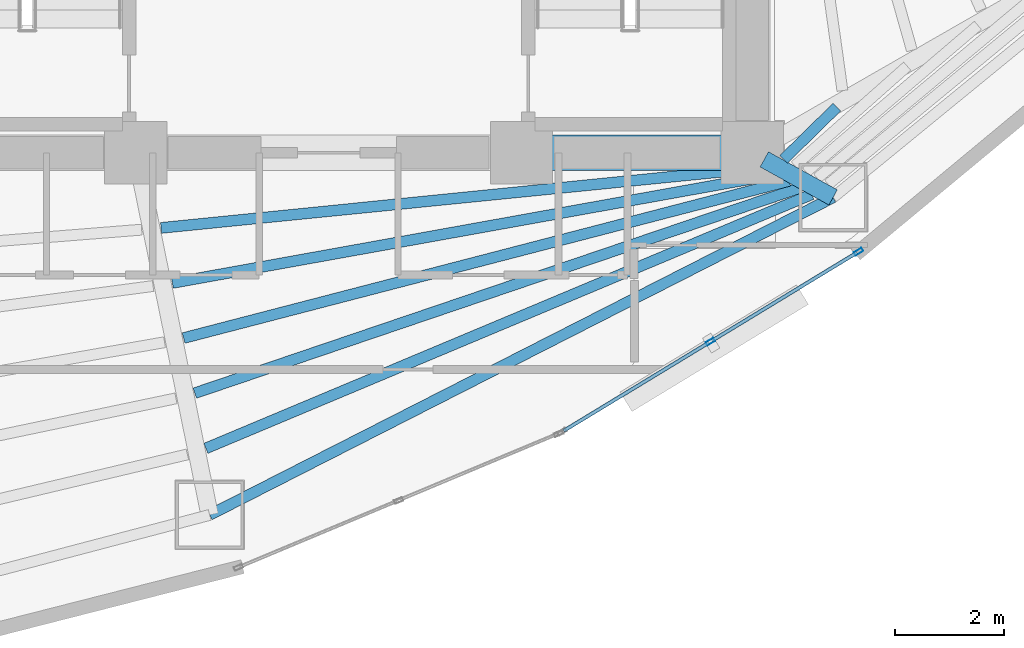
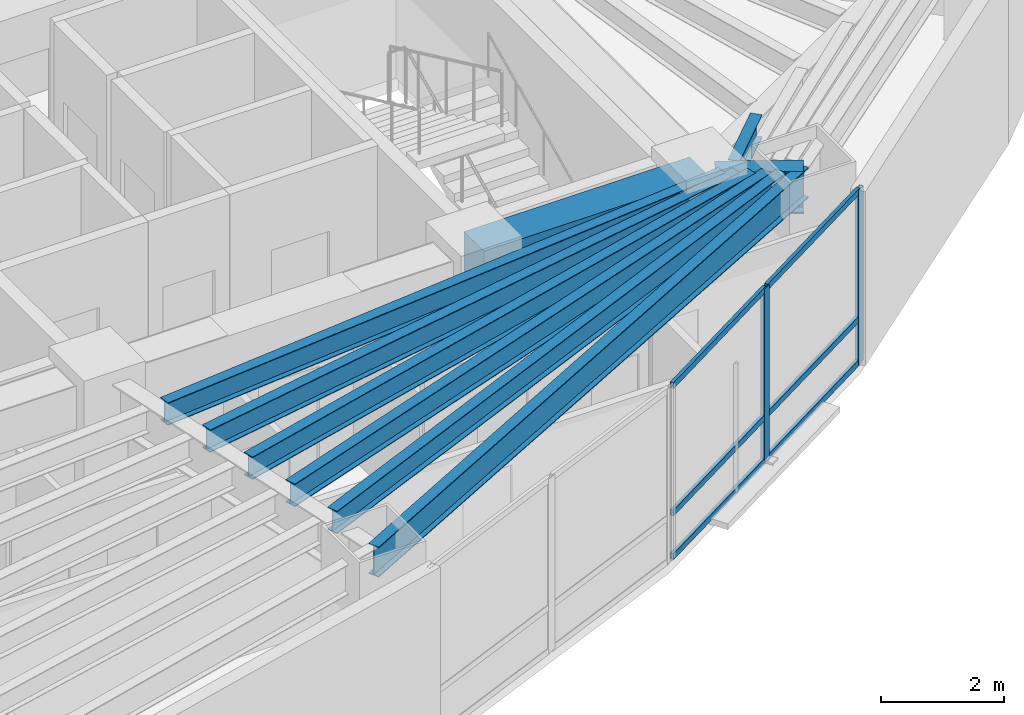
# One storey, part 5 of 16: 9 beams, 8 members, 1 element without a shape of its own.
"""IFC4 building model written with IfcOpenShell, lengths in metres."""

from ifc_helpers import new_model, si_unit, direction, frame, origin, origin_2d, place, context, subcontext, project, spatial, rectangle, hollow_rectangle, i_section, extrude, material, layer, layer_set, material_profile, profile_set, type_object, element, aggregate, save


model = new_model("IFC4")

# Units and contexts
model_context = context("Model", 3, precision=1e-05, world=origin(), true_north=direction((0.0, 1.0)))
body_context = subcontext(model_context, "Body", "Model", "MODEL_VIEW")
ifc_project = project(units=[si_unit("LENGTHUNIT", "METRE"), si_unit("AREAUNIT", "SQUARE_METRE"), si_unit("VOLUMEUNIT", "CUBIC_METRE"), si_unit("PLANEANGLEUNIT", "RADIAN"), si_unit("MASSUNIT", "GRAM", prefix="KILO")], contexts=[model_context])

# Site, building, storey
site_placement = place(None, origin())
site = spatial("IfcSite", under=ifc_project, at=site_placement, CompositionType="ELEMENT")
building_placement = place(site_placement, origin())
building = spatial("IfcBuilding", under=site, at=building_placement, Name="Menara Vayukalpa", CompositionType="ELEMENT")
storey_placement = place(building_placement, frame((0.0, 0.0, 75.9599609375)))
storey = spatial("IfcBuildingStorey", under=building, at=storey_placement, Name="L18", CompositionType="ELEMENT", Elevation=75.9599609375)

# Beams
ifc_material_1 = material(Name="Concrete C60/75", Category="concrete")
ifc_material_profile_1 = material_profile(ifc_material_1, rectangle(XDim=0.64990234375, YDim=0.85009765625, at=origin_2d()), Name="RC 650x850")
ifc_profile_set_1 = profile_set([ifc_material_profile_1], Name="Concrete C60/75")
beam_type_1 = type_object("IfcBeamType", Name="BM-CB1", PredefinedType="BEAM", material=ifc_profile_set_1)
beam_1_placement = place(storey_placement, frame((29.14990234375, 17.199951171875, 3.044921875), z_axis=(1.0, 0.0, 0.0), x_axis=(0.0, 1.0, 0.0)))
element("IfcBeam", 1, at=beam_1_placement, inside=storey, type_object=beam_type_1, Name="L18 Core Tie Beam CBR3", PredefinedType="BEAM", context=body_context, shape_type="SweptSolid", body=[
    extrude(rectangle(XDim=0.64990234375, YDim=0.85009765625, at=origin_2d()), origin(), (0.0, 0.0, 1.0), 4.25),
])
ifc_material_2 = material(Name="Steel S355", Category="steel")
ifc_material_profile_2 = material_profile(ifc_material_2, i_section(OverallWidth=0.320068359375, OverallDepth=0.85009765625, WebThickness=0.01611328125, FlangeThickness=0.030029296875, at=origin_2d()), Name="WF 850x320x16x30")
ifc_profile_set_2 = profile_set([ifc_material_profile_2], Name="Steel S355")
beam_type_2 = type_object("IfcBeamType", Name="BM-PG2", PredefinedType="BEAM", material=ifc_profile_set_2)
beam_2_placement = place(storey_placement, frame((33.618896484375, 17.0791015625, 3.044921875), z_axis=(0.875228391676, -0.48370989488, 0.0), x_axis=(0.48370989488, 0.875228391676, 0.0)))
element("IfcBeam", 2, at=beam_2_placement, inside=storey, type_object=beam_type_2, Name="L18 Primary Radial Girder RG09", PredefinedType="BEAM", context=body_context, shape_type="SweptSolid", body=[
    extrude(i_section(OverallWidth=0.320068359375, OverallDepth=0.85009765625, WebThickness=0.01611328125, FlangeThickness=0.030029296875, at=origin_2d()), origin(), (0.0, 0.0, 1.0), 1.448486328125),
])
ifc_material_3 = material(Name="Steel S355", Category="steel")
ifc_material_profile_3 = material_profile(ifc_material_3, i_section(OverallWidth=0.199951171875, OverallDepth=0.449951171875, WebThickness=0.009033203125, FlangeThickness=0.013916015625, at=origin_2d()), Name="WF 450x200x9x14")
ifc_profile_set_3 = profile_set([ifc_material_profile_3], Name="Steel S355")
beam_type_3 = type_object("IfcBeamType", Name="BM-SJ1", PredefinedType="JOIST", material=ifc_profile_set_3)
beam_3_placement = place(storey_placement, frame((22.514404296875, 15.81689453125, 3.2451171875), z_axis=(0.995012360471, 0.0997517043, 0.0), x_axis=(-0.0997517043, 0.995012360471, 0.0)))
element("IfcBeam", 3, at=beam_3_placement, inside=storey, type_object=beam_type_3, Name="L18 Secondary Floor Joist SJ08-1", PredefinedType="JOIST", context=body_context, shape_type="SweptSolid", body=[
    extrude(i_section(OverallWidth=0.199951171875, OverallDepth=0.449951171875, WebThickness=0.009033203125, FlangeThickness=0.013916015625, at=origin_2d()), origin(), (0.0, 0.0, 1.0), 11.20947265625),
])
beam_4_placement = place(storey_placement, frame((22.721923828125, 14.80322265625, 3.2451171875), z_axis=(0.984203304908, 0.177041957199, 0.0), x_axis=(-0.177041957199, 0.984203304908, 0.0)))
element("IfcBeam", 4, at=beam_4_placement, inside=storey, type_object=beam_type_3, Name="L18 Secondary Floor Joist SJ08-2", PredefinedType="JOIST", context=body_context, shape_type="SweptSolid", body=[
    extrude(i_section(OverallWidth=0.199951171875, OverallDepth=0.449951171875, WebThickness=0.009033203125, FlangeThickness=0.013916015625, at=origin_2d()), origin(), (0.0, 0.0, 1.0), 11.329833984375),
])
beam_5_placement = place(storey_placement, frame((22.92822265625, 13.7890625, 3.2451171875), z_axis=(0.9679190538, 0.25126222416, 0.0), x_axis=(-0.25126222416, 0.9679190538, 0.0)))
element("IfcBeam", 5, at=beam_5_placement, inside=storey, type_object=beam_type_3, Name="L18 Secondary Floor Joist SJ08-3", PredefinedType="JOIST", context=body_context, shape_type="SweptSolid", body=[
    extrude(i_section(OverallWidth=0.199951171875, OverallDepth=0.449951171875, WebThickness=0.009033203125, FlangeThickness=0.013916015625, at=origin_2d()), origin(), (0.0, 0.0, 1.0), 11.52001953125),
])
beam_6_placement = place(storey_placement, frame((23.1337890625, 12.774169921875, 3.2451171875), z_axis=(0.946954817661, 0.321366727134, 0.0), x_axis=(-0.321366727134, 0.946954817661, 0.0)))
element("IfcBeam", 6, at=beam_6_placement, inside=storey, type_object=beam_type_3, Name="L18 Secondary Floor Joist SJ08-4", PredefinedType="JOIST", context=body_context, shape_type="SweptSolid", body=[
    extrude(i_section(OverallWidth=0.199951171875, OverallDepth=0.449951171875, WebThickness=0.009033203125, FlangeThickness=0.013916015625, at=origin_2d()), origin(), (0.0, 0.0, 1.0), 11.776123046875),
])
beam_7_placement = place(storey_placement, frame((23.338623046875, 11.75830078125, 3.2451171875), z_axis=(0.922223639508, 0.386656900536, 0.0), x_axis=(-0.386656900536, 0.922223639508, 0.0)))
element("IfcBeam", 7, at=beam_7_placement, inside=storey, type_object=beam_type_3, Name="L18 Secondary Floor Joist SJ08-5", PredefinedType="JOIST", context=body_context, shape_type="SweptSolid", body=[
    extrude(i_section(OverallWidth=0.199951171875, OverallDepth=0.449951171875, WebThickness=0.009033203125, FlangeThickness=0.013916015625, at=origin_2d()), origin(), (0.0, 0.0, 1.0), 12.0947265625),
])
beam_8_placement = place(storey_placement, frame((33.9755859375, 17.0791015625, 3.2451171875), z_axis=(0.713661021906, 0.700491217512, 0.0), x_axis=(-0.700491217512, 0.713661021906, 0.0)))
element("IfcBeam", 8, at=beam_8_placement, inside=storey, type_object=beam_type_3, Name="L18 Secondary Floor Joist SJ09-1", PredefinedType="JOIST", context=body_context, shape_type="SweptSolid", body=[
    extrude(i_section(OverallWidth=0.199951171875, OverallDepth=0.449951171875, WebThickness=0.009033203125, FlangeThickness=0.013916015625, at=origin_2d()), origin(), (0.0, 0.0, 1.0), 1.371826171875),
])
ifc_material_4 = material(Name="Steel S355", Category="steel")
ifc_material_profile_4 = material_profile(ifc_material_4, i_section(OverallWidth=0.199951171875, OverallDepth=0.60009765625, WebThickness=0.010986328125, FlangeThickness=0.01708984375, at=origin_2d()), Name="WF 600x200x11x17")
ifc_profile_set_4 = profile_set([ifc_material_profile_4], Name="Steel S355")
beam_type_4 = type_object("IfcBeamType", Name="BM-SP1", PredefinedType="SPANDREL", material=ifc_profile_set_4)
beam_9_placement = place(storey_placement, frame((23.408203125, 10.53271484375, 3.169921875), z_axis=(0.891097345221, 0.453812209333, 0.0), x_axis=(-0.453812209333, 0.891097345221, 0.0)))
element("IfcBeam", 9, at=beam_9_placement, inside=storey, type_object=beam_type_4, Name="L18 Perimeter Spandrel Beam SP08", PredefinedType="SPANDREL", context=body_context, shape_type="SweptSolid", body=[
    extrude(i_section(OverallWidth=0.199951171875, OverallDepth=0.60009765625, WebThickness=0.010986328125, FlangeThickness=0.01708984375, at=origin_2d()), origin(), (0.0, 0.0, 1.0), 12.88134765625),
])

# Curtain wall, members
ifc_material_5 = material(Name="Anodised Terracotta Aluminium Alloy 6063-T6", Category="masonry")
ifc_layer = layer(ifc_material_5, 0.1650390625)
ifc_layer_set = layer_set([ifc_layer], Name="Anodised Terracotta Aluminium Alloy 6063-T6")
curtain_wall_type = type_object("IfcCurtainWallType", Name="CW-CW2", PredefinedType="USERDEFINED", material=ifc_layer_set)
curtain_wall_placement = place(storey_placement, origin())
curtain_wall = element("IfcCurtainWall", 10, at=curtain_wall_placement, inside=storey, type_object=curtain_wall_type, Name="L18 Low Rise Terracotta Ribbon Curtain Wall CW2 17", ObjectType="UNITISED", PredefinedType="USERDEFINED")
ifc_material_6 = material(Name="Anodised Terracotta Aluminium Alloy 6063-T6", Category="masonry")
ifc_material_profile_5 = material_profile(ifc_material_6, hollow_rectangle(XDim=0.070068359375, YDim=0.1650390625, WallThickness=0.00390625, at=origin_2d()), Name="ALU 70x165x4")
ifc_profile_set_5 = profile_set([ifc_material_profile_5], Name="Anodised Terracotta Aluminium Alloy 6063-T6")
member_type_1 = type_object("IfcMemberType", Name="CWM-CW2", PredefinedType="MULLION", material=ifc_profile_set_5)
member_1_placement = place(storey_placement, frame((32.6259765625, 13.721435546875, 0.0), z_axis=(0.0, 0.0, 1.0), x_axis=(-0.519182959112, 0.854663123674, 0.0)))
member_1 = element("IfcMember", 11, at=member_1_placement, type_object=member_type_1, Name="CW2 mullion 2", PredefinedType="MULLION", context=body_context, shape_type="SweptSolid", body=[
    extrude(hollow_rectangle(XDim=0.070068359375, YDim=0.1650390625, WallThickness=0.00390625, at=origin_2d()), origin(), (0.0, 0.0, 1.0), 3.469970703125),
])
member_2_placement = place(storey_placement, frame((35.356201171875, 15.3798828125, 0.0), z_axis=(0.0, 0.0, 1.0), x_axis=(-0.519182959112, 0.854663123674, 0.0)))
member_2 = element("IfcMember", 12, at=member_2_placement, type_object=member_type_1, Name="CW2 mullion 3", PredefinedType="MULLION", context=body_context, shape_type="SweptSolid", body=[
    extrude(hollow_rectangle(XDim=0.070068359375, YDim=0.1650390625, WallThickness=0.00390625, at=origin_2d()), origin(), (0.0, 0.0, 1.0), 3.469970703125),
])
ifc_material_7 = material(Name="Anodised Terracotta Aluminium Alloy 6063-T6", Category="masonry")
ifc_material_profile_6 = material_profile(ifc_material_7, hollow_rectangle(XDim=0.06494140625, YDim=0.1201171875, WallThickness=0.00341796875, at=origin_2d()), Name="ALU 65x120x3.5")
ifc_profile_set_6 = profile_set([ifc_material_profile_6], Name="Anodised Terracotta Aluminium Alloy 6063-T6")
member_type_2 = type_object("IfcMemberType", Name="CWT-CW2", PredefinedType="USERDEFINED", material=ifc_profile_set_6)
member_3_placement = place(storey_placement, frame((29.92578125, 12.0810546875, 0.032470703125), z_axis=(0.854625293212, 0.519245229349, 0.0), x_axis=(-0.519245229349, 0.854625293212, 0.0)))
member_3 = element("IfcMember", 13, at=member_3_placement, type_object=member_type_2, Name="CW2 transom 1.1", ObjectType="TRANSOM", PredefinedType="USERDEFINED", context=body_context, shape_type="SweptSolid", body=[
    extrude(hollow_rectangle(XDim=0.06494140625, YDim=0.1201171875, WallThickness=0.00341796875, at=origin_2d()), origin(), (0.0, 0.0, 1.0), 3.124267578125),
])
member_4_placement = place(storey_placement, frame((29.92578125, 12.0810546875, 0.900146484375), z_axis=(0.854625293212, 0.519245229349, 0.0), x_axis=(-0.519245229349, 0.854625293212, 0.0)))
member_4 = element("IfcMember", 14, at=member_4_placement, type_object=member_type_2, Name="CW2 transom 1.2", ObjectType="TRANSOM", PredefinedType="USERDEFINED", context=body_context, shape_type="SweptSolid", body=[
    extrude(hollow_rectangle(XDim=0.06494140625, YDim=0.1201171875, WallThickness=0.00341796875, at=origin_2d()), origin(), (0.0, 0.0, 1.0), 3.124267578125),
])
member_5_placement = place(storey_placement, frame((29.92578125, 12.0810546875, 3.4375), z_axis=(0.854625293212, 0.519245229349, 0.0), x_axis=(-0.519245229349, 0.854625293212, 0.0)))
member_5 = element("IfcMember", 15, at=member_5_placement, type_object=member_type_2, Name="CW2 transom 1.3", ObjectType="TRANSOM", PredefinedType="USERDEFINED", context=body_context, shape_type="SweptSolid", body=[
    extrude(hollow_rectangle(XDim=0.06494140625, YDim=0.1201171875, WallThickness=0.00341796875, at=origin_2d()), origin(), (0.0, 0.0, 1.0), 3.124267578125),
])
member_6_placement = place(storey_placement, frame((32.65576171875, 13.739501953125, 0.032470703125), z_axis=(0.854646359065, 0.519210555494, 0.0), x_axis=(-0.519210555494, 0.854646359065, 0.0)))
member_6 = element("IfcMember", 16, at=member_6_placement, type_object=member_type_2, Name="CW2 transom 2.1", ObjectType="TRANSOM", PredefinedType="USERDEFINED", context=body_context, shape_type="SweptSolid", body=[
    extrude(hollow_rectangle(XDim=0.06494140625, YDim=0.1201171875, WallThickness=0.00341796875, at=origin_2d()), origin(), (0.0, 0.0, 1.0), 3.12451171875),
])
member_7_placement = place(storey_placement, frame((32.65576171875, 13.739501953125, 0.900146484375), z_axis=(0.854646359065, 0.519210555494, 0.0), x_axis=(-0.519210555494, 0.854646359065, 0.0)))
member_7 = element("IfcMember", 17, at=member_7_placement, type_object=member_type_2, Name="CW2 transom 2.2", ObjectType="TRANSOM", PredefinedType="USERDEFINED", context=body_context, shape_type="SweptSolid", body=[
    extrude(hollow_rectangle(XDim=0.06494140625, YDim=0.1201171875, WallThickness=0.00341796875, at=origin_2d()), origin(), (0.0, 0.0, 1.0), 3.12451171875),
])
member_8_placement = place(storey_placement, frame((32.65576171875, 13.739501953125, 3.4375), z_axis=(0.854646359065, 0.519210555494, 0.0), x_axis=(-0.519210555494, 0.854646359065, 0.0)))
member_8 = element("IfcMember", 18, at=member_8_placement, type_object=member_type_2, Name="CW2 transom 2.3", ObjectType="TRANSOM", PredefinedType="USERDEFINED", context=body_context, shape_type="SweptSolid", body=[
    extrude(hollow_rectangle(XDim=0.06494140625, YDim=0.1201171875, WallThickness=0.00341796875, at=origin_2d()), origin(), (0.0, 0.0, 1.0), 3.12451171875),
])
aggregate(curtain_wall, [member_1, member_2, member_3, member_4, member_5, member_6, member_7, member_8])

save(model, "model.ifc")
